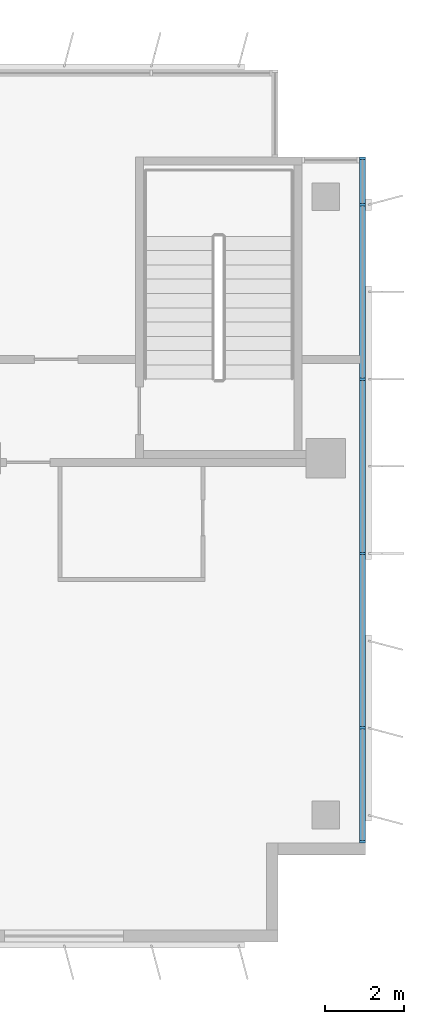
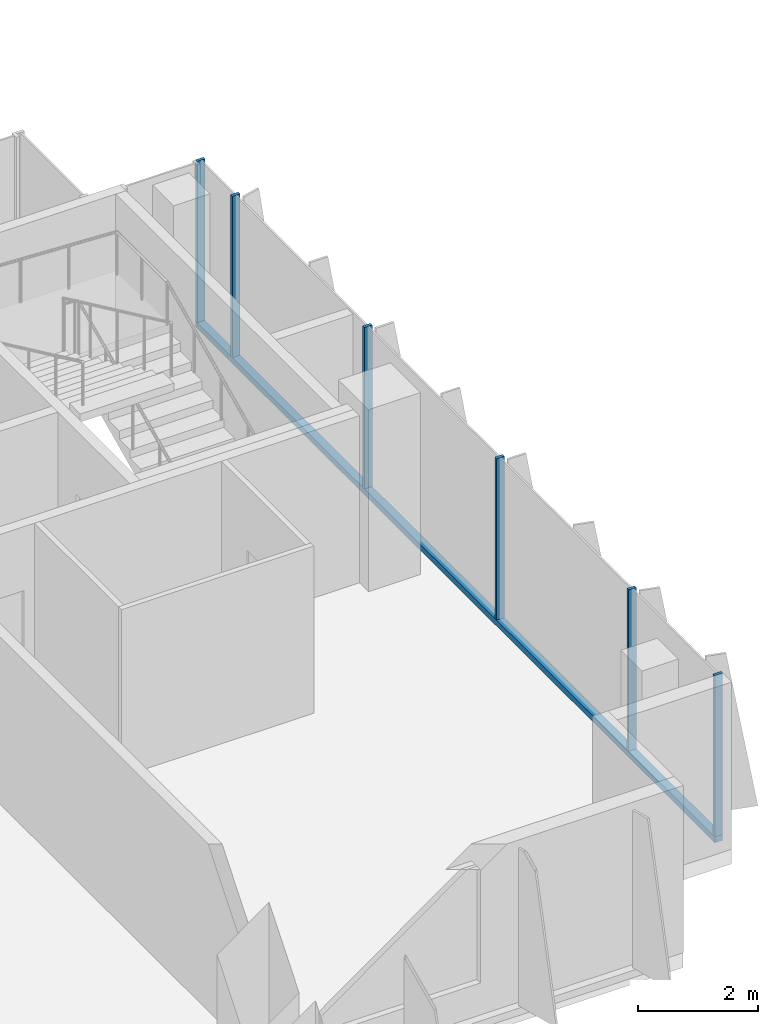
# One storey, part 7 of 22: 7 members, 1 element without a shape of its own.
"""IFC4 building model written with IfcOpenShell, lengths in metres."""

from ifc_helpers import new_model, si_unit, direction, frame, origin, origin_2d, place, context, subcontext, project, spatial, rectangle, extrude, source, transform, mapped, material, material_profile, profile_set, type_object, element, aggregate, save


model = new_model("IFC4")

# Units and contexts
model_context = context("Model", 3, precision=1e-05, world=origin(), true_north=direction((0.0, 1.0)))
body_context = subcontext(model_context, "Body", "Model", "MODEL_VIEW")
ifc_project = project(units=[si_unit("LENGTHUNIT", "METRE"), si_unit("AREAUNIT", "SQUARE_METRE"), si_unit("VOLUMEUNIT", "CUBIC_METRE"), si_unit("PLANEANGLEUNIT", "RADIAN"), si_unit("MASSUNIT", "GRAM", prefix="KILO")], contexts=[model_context])

# Site, building, storey
site_placement = place(None, origin())
site = spatial("IfcSite", under=ifc_project, at=site_placement, CompositionType="ELEMENT")
building_placement = place(site_placement, origin())
building = spatial("IfcBuilding", under=site, at=building_placement, Name="Kemantara Hotel Tower", CompositionType="ELEMENT")
storey_placement = place(building_placement, frame((0.0, 0.0, 153.10009765625)))
storey = spatial("IfcBuildingStorey", under=building, at=storey_placement, Name="L37", CompositionType="ELEMENT", Elevation=153.10009765625)

# Curtain wall, members
ifc_material_1 = material(Name="Low-E tinted double insulated glass 36 mm", Category="glass")
curtain_wall_type = type_object("IfcCurtainWallType", Name="TOWER CURTAIN WALL, FRONT FACES", PredefinedType="USERDEFINED", material=ifc_material_1)
curtain_wall_placement = place(storey_placement, origin())
curtain_wall = element("IfcCurtainWall", 1, at=curtain_wall_placement, inside=storey, type_object=curtain_wall_type, Name="CW4 L37 T3-R11-1", ObjectType="TOWER CURTAIN WALL, FRONT FACES", PredefinedType="USERDEFINED")
ifc_material_2 = material(Name="Aluminium 6063-T6 bronze anodised", Category="aluminium")
ifc_material_profile_1 = material_profile(ifc_material_2, rectangle(XDim=0.14990234375, YDim=0.1201171875, at=origin_2d()), Name="TOWER CURTAIN WALL, FRONT FACES TRANSOM")
ifc_profile_set_1 = profile_set([ifc_material_profile_1], Name="Aluminium 6063-T6 bronze anodised")
member_type_1 = type_object("IfcMemberType", Name="TOWER CURTAIN WALL, FRONT FACES TRANSOM", PredefinedType="USERDEFINED", material=ifc_profile_set_1)
member_1_placement = place(storey_placement, frame((63.52490234375, 2.5, 0.059814453125), z_axis=(0.0, 1.0, 0.0), x_axis=(-1.0, 0.0, 0.0)))
member_1 = element("IfcMember", 2, at=member_1_placement, type_object=member_type_1, Name="CW4 sill transom T3-R11-1", ObjectType="TRANSOM", PredefinedType="USERDEFINED", context=body_context, shape_type="SweptSolid", body=[
    extrude(rectangle(XDim=0.14990234375, YDim=0.1201171875, at=origin_2d()), origin(), (0.0, 0.0, 1.0), 17.300048828125),
])
ifc_material_profile_2 = material_profile(ifc_material_2, rectangle(XDim=0.14990234375, YDim=0.06005859375, at=origin_2d()), Name="TOWER CURTAIN WALL, FRONT FACES MULLION")
ifc_profile_set_2 = profile_set([ifc_material_profile_2], Name="Aluminium 6063-T6 bronze anodised")
member_type_2 = type_object("IfcMemberType", Name="TOWER CURTAIN WALL, FRONT FACES MULLION", PredefinedType="MULLION", material=ifc_profile_set_2)
shared_shape = source(origin(), body_context, "Body", "SweptSolid", [
    extrude(rectangle(XDim=0.14990234375, YDim=0.06005859375, at=origin_2d()), origin(), (0.0, 0.0, 1.0), 3.280029296875),
])
member_2_placement = place(storey_placement, frame((63.52490234375, 2.530029296875, 0.119873046875), z_axis=(0.0, 0.0, 1.0), x_axis=(-1.0, 0.0, 0.0)))
member_2 = element("IfcMember", 3, at=member_2_placement, type_object=member_type_2, Name="CW4 mullion T3-R11-1.1", PredefinedType="MULLION", context=body_context, shape_type="MappedRepresentation", body=[
    mapped(shared_shape, transform((0.0, 0.0, 0.0))),
])
member_3_placement = place(storey_placement, frame((63.52490234375, 5.39990234375, 0.119873046875), z_axis=(0.0, 0.0, 1.0), x_axis=(-1.0, 0.0, 0.0)))
member_3 = element("IfcMember", 4, at=member_3_placement, type_object=member_type_2, Name="CW4 mullion T3-R11-1.2", PredefinedType="MULLION", context=body_context, shape_type="MappedRepresentation", body=[
    mapped(shared_shape, transform((0.0, 0.0, 0.0))),
])
member_4_placement = place(storey_placement, frame((63.52490234375, 9.800048828125, 0.119873046875), z_axis=(0.0, 0.0, 1.0), x_axis=(-1.0, 0.0, 0.0)))
member_4 = element("IfcMember", 5, at=member_4_placement, type_object=member_type_2, Name="CW4 mullion T3-R11-1.3", PredefinedType="MULLION", context=body_context, shape_type="MappedRepresentation", body=[
    mapped(shared_shape, transform((0.0, 0.0, 0.0))),
])
member_5_placement = place(storey_placement, frame((63.52490234375, 14.199951171875, 0.119873046875), z_axis=(0.0, 0.0, 1.0), x_axis=(-1.0, 0.0, 0.0)))
member_5 = element("IfcMember", 6, at=member_5_placement, type_object=member_type_2, Name="CW4 mullion T3-R11-1.4", PredefinedType="MULLION", context=body_context, shape_type="MappedRepresentation", body=[
    mapped(shared_shape, transform((0.0, 0.0, 0.0))),
])
member_6_placement = place(storey_placement, frame((63.52490234375, 18.60009765625, 0.119873046875), z_axis=(0.0, 0.0, 1.0), x_axis=(-1.0, 0.0, 0.0)))
member_6 = element("IfcMember", 7, at=member_6_placement, type_object=member_type_2, Name="CW4 mullion T3-R11-1.5", PredefinedType="MULLION", context=body_context, shape_type="MappedRepresentation", body=[
    mapped(shared_shape, transform((0.0, 0.0, 0.0))),
])
member_7_placement = place(storey_placement, frame((63.52490234375, 19.77001953125, 0.119873046875), z_axis=(0.0, 0.0, 1.0), x_axis=(-1.0, 0.0, 0.0)))
member_7 = element("IfcMember", 8, at=member_7_placement, type_object=member_type_2, Name="CW4 mullion T3-R11-1.6", PredefinedType="MULLION", context=body_context, shape_type="MappedRepresentation", body=[
    mapped(shared_shape, transform((0.0, 0.0, 0.0))),
])
aggregate(curtain_wall, [member_1, member_2, member_3, member_4, member_5, member_6, member_7])

save(model, "model.ifc")
